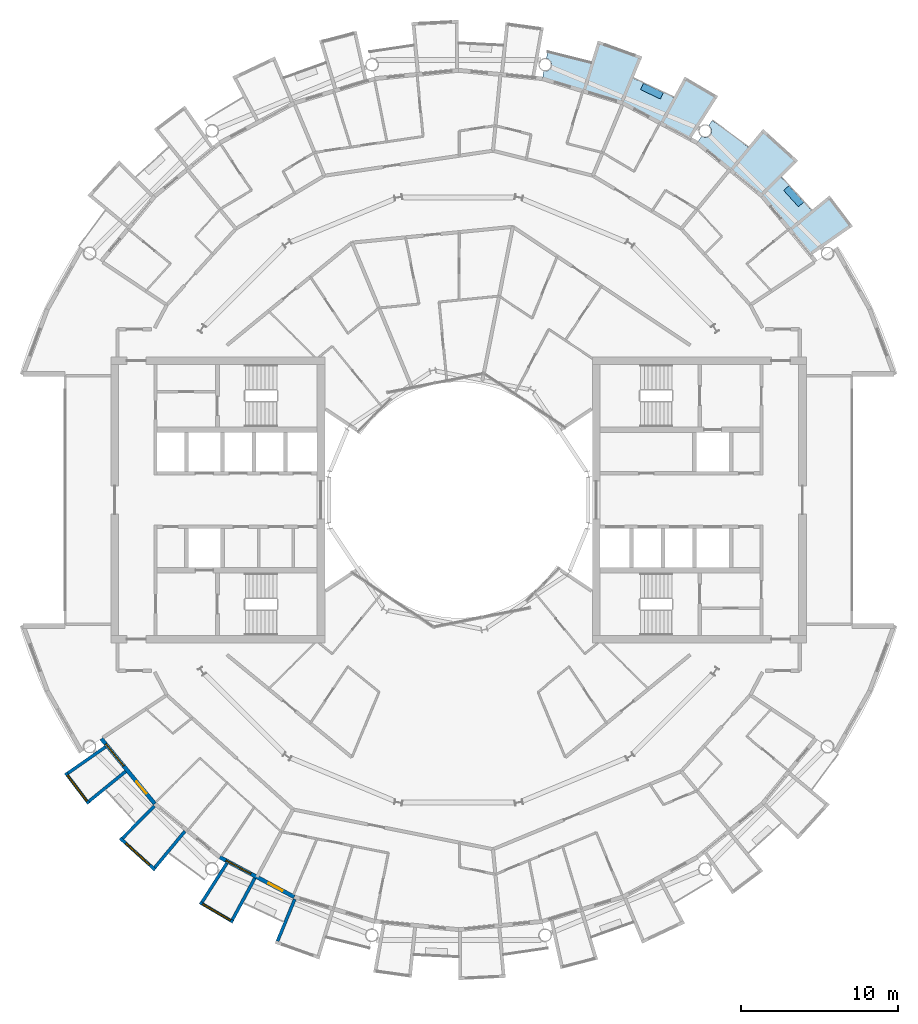
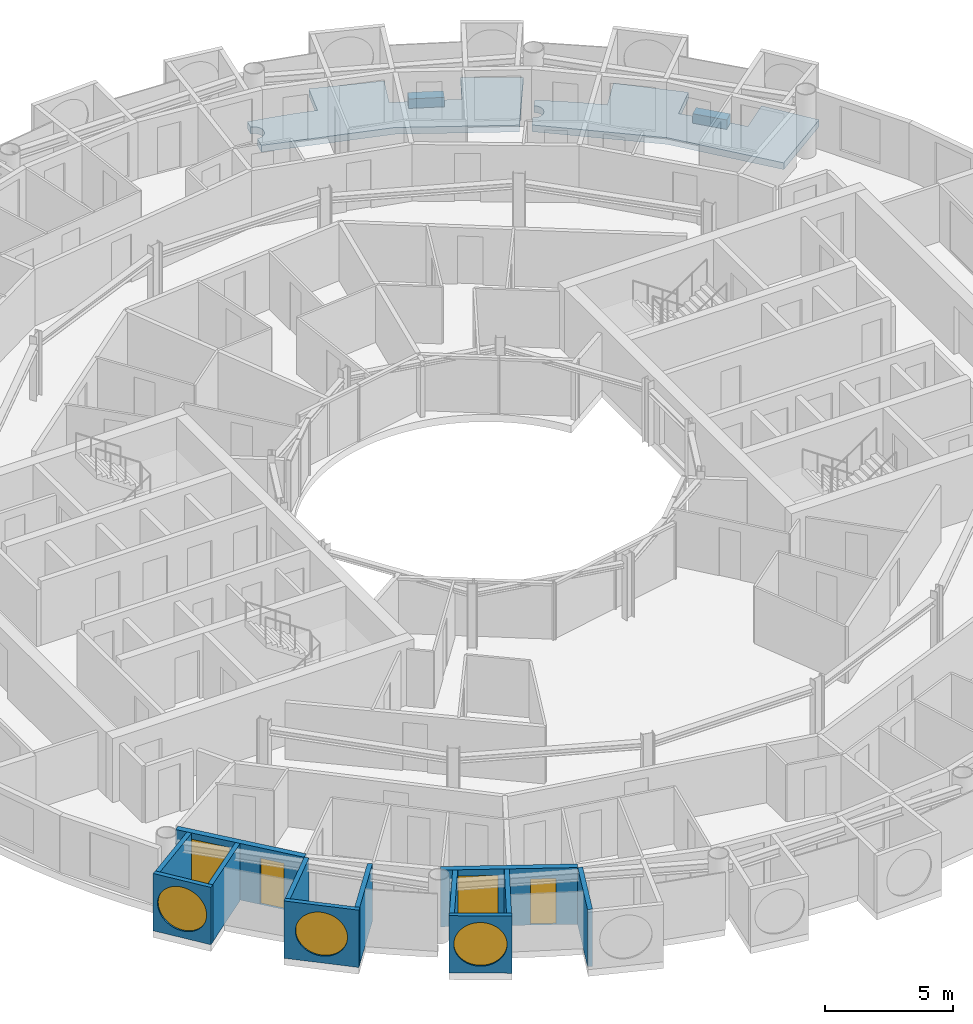
# One storey, part 13 of 27: 12 walls, 5 windows, 4 slabs, 2 doors, 7 openings.
"""IFC4 building model written with IfcOpenShell, lengths in metres."""

from ifc_helpers import new_model, si_unit, direction, frame, frame_2d, origin, place, context, subcontext, project, spatial, polyline, rectangle, circle, outline, extrude, material, layer, layer_set, type_object, element, fill, save


model = new_model("IFC4")

# Units and contexts
model_context = context("Model", 3, precision=1e-05, world=origin(), true_north=direction((0.0, 1.0)))
body_context = subcontext(model_context, "Body", "Model", "MODEL_VIEW")
ifc_project = project(units=[si_unit("LENGTHUNIT", "METRE"), si_unit("AREAUNIT", "SQUARE_METRE"), si_unit("VOLUMEUNIT", "CUBIC_METRE"), si_unit("PLANEANGLEUNIT", "RADIAN"), si_unit("MASSUNIT", "GRAM", prefix="KILO")], contexts=[model_context])

# Site, building, storey
site_placement = place(None, origin())
site = spatial("IfcSite", under=ifc_project, at=site_placement, CompositionType="ELEMENT")
building_placement = place(site_placement, origin())
building = spatial("IfcBuilding", under=site, at=building_placement, Name="Maasbend Ring Residences", CompositionType="ELEMENT")
storey_placement = place(building_placement, frame((0.0, 0.0, 148.25)))
storey = spatial("IfcBuildingStorey", under=building, at=storey_placement, Name="L42", CompositionType="ELEMENT", Elevation=148.25)

# Slabs
ifc_material_1 = material(Name="Planting with climbing greenery")
ifc_layer_1 = layer(ifc_material_1, 0.449951171875)
ifc_layer_set_1 = layer_set([ifc_layer_1], Name="PLANTER-LG")
slab_type_1 = type_object("IfcSlabType", Name="PLANTER-LG", PredefinedType="USERDEFINED", material=ifc_layer_set_1)
slab_1_placement = place(storey_placement, frame((0.0, 0.0, -0.030029296875)))
element("IfcSlab", 1, at=slab_1_placement, inside=storey, type_object=slab_type_1, Name="Planter with climbing greenery 1", ObjectType="PLANTER", PredefinedType="USERDEFINED", context=body_context, shape_type="SweptSolid", body=[
    extrude(outline(polyline([(21.931884765625, 18.93310546875), (20.991943359375, 19.969970703125), (20.657958984375, 19.66796875), (21.597900390625, 18.631103515625), (21.931884765625, 18.93310546875)])), origin(), (0.0, 0.0, 1.0), 0.449951171875),
])
slab_2_placement = place(storey_placement, frame((0.0, 0.0, -0.030029296875)))
element("IfcSlab", 2, at=slab_2_placement, inside=storey, type_object=slab_type_1, Name="Planter with climbing greenery 2", ObjectType="PLANTER", PredefinedType="USERDEFINED", context=body_context, shape_type="SweptSolid", body=[
    extrude(outline(polyline([(13.01708984375, 25.885009765625), (11.7509765625, 26.48291015625), (11.55908203125, 26.076904296875), (12.824951171875, 25.47802734375), (13.01708984375, 25.885009765625)])), origin(), (0.0, 0.0, 1.0), 0.449951171875),
])
ifc_material_2 = material(Name="Concrete C40/50", Category="concrete")
ifc_layer_2 = layer(ifc_material_2, 0.199951171875)
ifc_layer_set_2 = layer_set([ifc_layer_2], Name="Concrete C40/50")
slab_type_2 = type_object("IfcSlabType", Name="SL-LOGGIA", PredefinedType="FLOOR", material=ifc_layer_set_2)
slab_3_placement = place(storey_placement, frame((0.0, 0.0, -0.35009765625)))
element("IfcSlab", 3, at=slab_3_placement, inside=storey, type_object=slab_type_2, Name="Loggia floor 2", PredefinedType="FLOOR", context=body_context, shape_type="SweptSolid", body=[
    extrude(outline(polyline([(5.451904296875, 27.2548828125), (5.4619140625, 27.25390625), (5.471923828125, 27.2529296875), (5.48193359375, 27.251953125), (5.491943359375, 27.251953125), (5.501953125, 27.251953125), (5.510986328125, 27.251953125), (5.52099609375, 27.251953125), (5.531005859375, 27.2529296875), (5.541015625, 27.25390625), (5.551025390625, 27.2548828125), (5.56103515625, 27.256103515625), (5.571044921875, 27.258056640625), (5.5810546875, 27.259033203125), (5.591064453125, 27.260986328125), (5.60009765625, 27.263916015625), (5.610107421875, 27.26611328125), (5.6201171875, 27.26904296875), (5.62890625, 27.27197265625), (5.637939453125, 27.27490234375), (5.64794921875, 27.279052734375), (5.656982421875, 27.282958984375), (5.666015625, 27.285888671875), (5.675048828125, 27.291015625), (5.68408203125, 27.294921875), (5.693115234375, 27.300048828125), (5.701904296875, 27.303955078125), (5.7099609375, 27.30908203125), (5.718994140625, 27.31494140625), (5.72705078125, 27.320068359375), (5.736083984375, 27.325927734375), (5.743896484375, 27.33203125), (5.751953125, 27.337890625), (5.759033203125, 27.343994140625), (5.76708984375, 27.35009765625), (5.77392578125, 27.35693359375), (5.781982421875, 27.364013671875), (5.7890625, 27.37109375), (5.7958984375, 27.3779296875), (5.802978515625, 27.385009765625), (5.80908203125, 27.39306640625), (5.81591796875, 27.39990234375), (5.822021484375, 27.407958984375), (5.827880859375, 27.416015625), (5.833984375, 27.424072265625), (5.839111328125, 27.431884765625), (5.844970703125, 27.44091796875), (5.85009765625, 27.448974609375), (5.85498046875, 27.4580078125), (5.860107421875, 27.466064453125), (5.864990234375, 27.47509765625), (5.868896484375, 27.48388671875), (5.873046875, 27.492919921875), (5.876953125, 27.5029296875), (5.881103515625, 27.511962890625), (5.884033203125, 27.52099609375), (5.886962890625, 27.531005859375), (5.889892578125, 27.5400390625), (5.89306640625, 27.550048828125), (5.89599609375, 27.55908203125), (5.89794921875, 27.569091796875), (5.89990234375, 27.5791015625), (5.902099609375, 27.589111328125), (5.904052734375, 27.597900390625), (5.905029296875, 27.60791015625), (5.906005859375, 27.617919921875), (5.906982421875, 27.6279296875), (5.907958984375, 27.637939453125), (5.907958984375, 27.64794921875), (5.907958984375, 27.657958984375), (5.907958984375, 27.66796875), (5.907958984375, 27.677978515625), (5.906982421875, 27.68798828125), (5.906005859375, 27.697998046875), (5.905029296875, 27.7080078125), (5.904052734375, 27.718017578125), (5.902099609375, 27.72802734375), (5.89990234375, 27.737060546875), (5.89794921875, 27.7470703125), (5.89599609375, 27.757080078125), (5.89306640625, 27.76708984375), (5.889892578125, 27.77587890625), (5.886962890625, 27.785888671875), (5.884033203125, 27.794921875), (5.881103515625, 27.803955078125), (5.876953125, 27.81396484375), (5.873046875, 27.822998046875), (5.868896484375, 27.83203125), (5.864990234375, 27.841064453125), (5.860107421875, 27.85009765625), (5.85498046875, 27.85791015625), (5.85009765625, 27.866943359375), (5.844970703125, 27.8759765625), (5.839111328125, 27.884033203125), (5.833984375, 27.89208984375), (5.827880859375, 27.89990234375), (5.822021484375, 27.907958984375), (5.81591796875, 27.916015625), (5.80908203125, 27.924072265625), (5.802978515625, 27.930908203125), (5.7958984375, 27.93798828125), (5.7890625, 27.946044921875), (5.781982421875, 27.952880859375), (5.77392578125, 27.958984375), (5.76708984375, 27.966064453125), (5.759033203125, 27.971923828125), (5.751953125, 27.97900390625), (5.743896484375, 27.985107421875), (5.736083984375, 27.989990234375), (5.72705078125, 27.99609375), (5.718994140625, 28.001953125), (5.7099609375, 28.007080078125), (5.701904296875, 28.011962890625), (5.693115234375, 28.01708984375), (5.68408203125, 28.02099609375), (5.675048828125, 28.02587890625), (5.666015625, 28.030029296875), (5.656982421875, 28.033935546875), (5.64794921875, 28.037109375), (5.637939453125, 28.041015625), (5.62890625, 28.0439453125), (5.6201171875, 28.047119140625), (5.610107421875, 28.050048828125), (5.60009765625, 28.052001953125), (5.591064453125, 28.054931640625), (5.5810546875, 28.056884765625), (5.657958984375, 28.443115234375), (5.657958984375, 28.443115234375), (5.657958984375, 28.443115234375), (6.5849609375, 28.241943359375), (6.5849609375, 28.241943359375), (7.506103515625, 28.011962890625), (7.506103515625, 28.011962890625), (8.41796875, 27.7509765625), (8.41796875, 27.7509765625), (8.41796875, 27.7509765625), (8.41796875, 27.7509765625), (8.41796875, 27.7509765625), (8.41796875, 27.7509765625), (8.41796875, 27.7509765625), (8.41796875, 27.7509765625), (8.41796875, 27.7509765625), (8.41796875, 27.7509765625), (8.41796875, 27.751953125), (8.41796875, 27.751953125), (8.41796875, 27.751953125), (8.41796875, 27.751953125), (8.41796875, 27.751953125), (8.41796875, 27.751953125), (8.41796875, 27.751953125), (8.85400390625, 29.18701171875), (8.85400390625, 29.18701171875), (8.85400390625, 29.18701171875), (11.672119140625, 28.177978515625), (11.672119140625, 28.177978515625), (11.672119140625, 28.177978515625), (11.097900390625, 26.79296875), (11.097900390625, 26.79296875), (11.097900390625, 26.79296875), (11.097900390625, 26.79296875), (11.097900390625, 26.79296875), (11.097900390625, 26.79296875), (11.097900390625, 26.79296875), (11.097900390625, 26.79296875), (11.097900390625, 26.79296875), (11.097900390625, 26.79296875), (11.097900390625, 26.7919921875), (11.097900390625, 26.7919921875), (11.097900390625, 26.7919921875), (11.097900390625, 26.7919921875), (11.097900390625, 26.7919921875), (11.097900390625, 26.7919921875), (11.097900390625, 26.7919921875), (11.968994140625, 26.4150390625), (11.968994140625, 26.4150390625), (12.825927734375, 26.009033203125), (12.825927734375, 26.009033203125), (13.669921875, 25.575927734375), (13.669921875, 25.575927734375), (13.669921875, 25.575927734375), (13.669921875, 25.575927734375), (13.669921875, 25.575927734375), (13.669921875, 25.575927734375), (13.669921875, 25.575927734375), (13.669921875, 25.575927734375), (13.669921875, 25.575927734375), (13.669921875, 25.575927734375), (13.6708984375, 25.575927734375), (13.6708984375, 25.575927734375), (13.6708984375, 25.575927734375), (13.6708984375, 25.575927734375), (13.6708984375, 25.575927734375), (13.6708984375, 25.575927734375), (13.6708984375, 25.575927734375), (14.3779296875, 26.89892578125), (14.3779296875, 26.89892578125), (14.3779296875, 26.89892578125), (16.487060546875, 25.659912109375), (16.487060546875, 25.659912109375), (16.487060546875, 25.659912109375), (14.73291015625, 22.930908203125), (14.73291015625, 22.930908203125), (14.73291015625, 22.930908203125), (12.806884765625, 23.9609375), (10.447021484375, 25.221923828125), (10.447021484375, 25.221923828125), (10.447021484375, 25.221923828125), (7.886962890625, 25.9990234375), (5.325927734375, 26.77490234375), (5.325927734375, 26.77490234375), (5.325927734375, 26.77490234375), (5.422119140625, 27.259033203125), (5.431884765625, 27.258056640625), (5.44189453125, 27.256103515625), (5.451904296875, 27.2548828125)])), origin(), (0.0, 0.0, 1.0), 0.320068359375),
])
slab_4_placement = place(storey_placement, frame((0.0, 0.0, -0.35009765625)))
element("IfcSlab", 4, at=slab_4_placement, inside=storey, type_object=slab_type_2, Name="Loggia floor 5", PredefinedType="FLOOR", context=body_context, shape_type="SweptSolid", body=[
    extrude(outline(polyline([(15.4580078125, 23.09912109375), (15.467041015625, 23.093994140625), (15.47509765625, 23.089111328125), (15.48388671875, 23.083984375), (15.492919921875, 23.080078125), (15.501953125, 23.075927734375), (15.511962890625, 23.072021484375), (15.52099609375, 23.068115234375), (15.530029296875, 23.06494140625), (15.5400390625, 23.06103515625), (15.549072265625, 23.05810546875), (15.55908203125, 23.055908203125), (15.568115234375, 23.052978515625), (15.577880859375, 23.051025390625), (15.587890625, 23.049072265625), (15.597900390625, 23.047119140625), (15.60693359375, 23.044921875), (15.616943359375, 23.0439453125), (15.626953125, 23.04296875), (15.636962890625, 23.0419921875), (15.64697265625, 23.041015625), (15.656982421875, 23.041015625), (15.6669921875, 23.041015625), (15.677001953125, 23.041015625), (15.68701171875, 23.041015625), (15.697021484375, 23.0419921875), (15.70703125, 23.04296875), (15.717041015625, 23.0439453125), (15.72705078125, 23.044921875), (15.737060546875, 23.047119140625), (15.74609375, 23.049072265625), (15.756103515625, 23.051025390625), (15.76611328125, 23.052978515625), (15.77587890625, 23.055908203125), (15.784912109375, 23.05810546875), (15.794921875, 23.06103515625), (15.803955078125, 23.06494140625), (15.81298828125, 23.068115234375), (15.822998046875, 23.072021484375), (15.83203125, 23.075927734375), (15.841064453125, 23.080078125), (15.85009765625, 23.083984375), (15.85888671875, 23.089111328125), (15.866943359375, 23.093994140625), (15.8759765625, 23.09912109375), (15.885009765625, 23.10400390625), (15.89306640625, 23.10888671875), (15.90087890625, 23.114990234375), (15.908935546875, 23.12109375), (15.9169921875, 23.126953125), (15.925048828125, 23.133056640625), (15.93310546875, 23.139892578125), (15.93994140625, 23.14599609375), (15.947021484375, 23.153076171875), (15.955078125, 23.159912109375), (15.9619140625, 23.1669921875), (15.968017578125, 23.174072265625), (15.97509765625, 23.181884765625), (15.98095703125, 23.18994140625), (15.988037109375, 23.197021484375), (15.993896484375, 23.205078125), (15.9990234375, 23.212890625), (16.0048828125, 23.221923828125), (16.010986328125, 23.22998046875), (16.01611328125, 23.238037109375), (16.02099609375, 23.2470703125), (16.02587890625, 23.256103515625), (16.030029296875, 23.264892578125), (16.034912109375, 23.27392578125), (16.0390625, 23.282958984375), (16.04296875, 23.2919921875), (16.0458984375, 23.301025390625), (16.050048828125, 23.31005859375), (16.052978515625, 23.320068359375), (16.055908203125, 23.3291015625), (16.05908203125, 23.339111328125), (16.06103515625, 23.34912109375), (16.06396484375, 23.35791015625), (16.06591796875, 23.367919921875), (16.068115234375, 23.3779296875), (16.069091796875, 23.387939453125), (16.071044921875, 23.39794921875), (16.072021484375, 23.407958984375), (16.072021484375, 23.4169921875), (16.072998046875, 23.427001953125), (16.072998046875, 23.43701171875), (16.073974609375, 23.447021484375), (16.072998046875, 23.45703125), (16.072998046875, 23.467041015625), (16.072021484375, 23.47705078125), (16.072021484375, 23.487060546875), (16.071044921875, 23.4970703125), (16.069091796875, 23.507080078125), (16.068115234375, 23.51708984375), (16.06591796875, 23.527099609375), (16.06396484375, 23.535888671875), (16.06103515625, 23.5458984375), (16.05908203125, 23.555908203125), (16.055908203125, 23.56494140625), (16.052978515625, 23.574951171875), (16.050048828125, 23.583984375), (16.0458984375, 23.593994140625), (16.04296875, 23.60302734375), (16.0390625, 23.612060546875), (16.034912109375, 23.62109375), (16.030029296875, 23.6298828125), (16.02587890625, 23.638916015625), (16.02099609375, 23.64794921875), (16.01611328125, 23.656005859375), (16.010986328125, 23.6650390625), (16.0048828125, 23.673095703125), (15.9990234375, 23.680908203125), (15.993896484375, 23.68994140625), (15.988037109375, 23.697021484375), (15.98095703125, 23.705078125), (15.97509765625, 23.712890625), (15.968017578125, 23.719970703125), (15.9619140625, 23.72802734375), (15.955078125, 23.735107421875), (15.947021484375, 23.741943359375), (15.93994140625, 23.7490234375), (15.93310546875, 23.7548828125), (15.925048828125, 23.761962890625), (15.9169921875, 23.76806640625), (15.908935546875, 23.77392578125), (15.90087890625, 23.780029296875), (15.89306640625, 23.784912109375), (15.89306640625, 23.784912109375), (16.112060546875, 24.113037109375), (16.112060546875, 24.113037109375), (16.112060546875, 24.113037109375), (16.89208984375, 23.572998046875), (16.89208984375, 23.572998046875), (17.654052734375, 23.007080078125), (17.654052734375, 23.007080078125), (18.39697265625, 22.41796875), (18.39697265625, 22.41796875), (18.39697265625, 22.41796875), (18.39697265625, 22.41796875), (18.39697265625, 22.41796875), (18.39697265625, 22.41796875), (18.39697265625, 22.41796875), (18.39697265625, 22.41796875), (18.39697265625, 22.41796875), (18.39697265625, 22.41796875), (18.39697265625, 22.41796875), (18.39794921875, 22.41796875), (18.39794921875, 22.41796875), (18.39794921875, 22.41796875), (18.39794921875, 22.41796875), (18.39794921875, 22.41796875), (18.39794921875, 22.41796875), (19.34912109375, 23.576904296875), (19.34912109375, 23.576904296875), (19.34912109375, 23.576904296875), (21.56689453125, 21.56689453125), (21.56689453125, 21.56689453125), (21.56689453125, 21.56689453125), (20.506103515625, 20.506103515625), (20.506103515625, 20.506103515625), (20.506103515625, 20.506103515625), (20.506103515625, 20.506103515625), (20.506103515625, 20.506103515625), (20.506103515625, 20.506103515625), (20.506103515625, 20.506103515625), (20.506103515625, 20.506103515625), (20.506103515625, 20.506103515625), (20.506103515625, 20.506103515625), (20.506103515625, 20.506103515625), (20.506103515625, 20.506103515625), (20.506103515625, 20.506103515625), (20.506103515625, 20.506103515625), (20.506103515625, 20.506103515625), (20.506103515625, 20.506103515625), (20.506103515625, 20.506103515625), (21.166015625, 19.823974609375), (21.166015625, 19.823974609375), (21.802978515625, 19.12109375), (21.802978515625, 19.12109375), (22.4169921875, 18.39794921875), (22.4169921875, 18.39794921875), (22.4169921875, 18.39794921875), (22.4169921875, 18.39794921875), (22.4169921875, 18.39794921875), (22.4169921875, 18.39794921875), (22.4169921875, 18.39794921875), (22.4169921875, 18.39794921875), (22.4169921875, 18.39794921875), (22.4169921875, 18.39794921875), (22.4169921875, 18.39794921875), (22.4169921875, 18.39794921875), (22.41796875, 18.39794921875), (22.41796875, 18.39794921875), (22.41796875, 18.39794921875), (22.41796875, 18.39794921875), (22.41796875, 18.39794921875), (23.576904296875, 19.34912109375), (23.576904296875, 19.34912109375), (23.576904296875, 19.34912109375), (25.051025390625, 17.39794921875), (25.051025390625, 17.39794921875), (25.051025390625, 17.39794921875), (22.386962890625, 15.547119140625), (22.386962890625, 15.547119140625), (22.386962890625, 15.547119140625), (21.001953125, 17.236083984375), (19.303955078125, 19.303955078125), (19.303955078125, 19.303955078125), (19.303955078125, 19.303955078125), (17.236083984375, 21.001953125), (15.1669921875, 22.698974609375), (15.1669921875, 22.698974609375), (15.1669921875, 22.698974609375), (15.44091796875, 23.10888671875), (15.44091796875, 23.10888671875), (15.449951171875, 23.10400390625), (15.4580078125, 23.09912109375)])), origin(), (0.0, 0.0, 1.0), 0.320068359375),
])

# Wall, opening, window
ifc_material_3 = material(Name="Pale anodised aluminium panel", Category="aluminium")
ifc_layer_3 = layer(ifc_material_3, 0.199951171875)
ifc_layer_set_3 = layer_set([ifc_layer_3], Name="EW-BOX")
wall_type_1 = type_object("IfcWallType", Name="EW-BOX", PredefinedType="SOLIDWALL", material=ifc_layer_set_3)
wall_1_placement = place(storey_placement, frame((-24.971923828125, -17.3369140625, -0.030029296875), z_axis=(0.0, 0.0, 1.0), x_axis=(0.602806268067, -0.797887588059, 0.0)))
wall_1 = element("IfcWall", 5, at=wall_1_placement, inside=storey, type_object=wall_type_1, Name="Box front S01", PredefinedType="SOLIDWALL", context=body_context, shape_type="SweptSolid", body=[
    extrude(rectangle(XDim=2.446533203125, YDim=0.199951171875, at=frame_2d((1.22314453125, 0.0))), origin(), (0.0, 0.0, 1.0), 2.72998046875),
])
opening_1_placement = place(wall_1_placement, frame((0.182861328125, 0.0, 0.330078125)))
opening_1 = element("IfcOpeningElement", 6, at=opening_1_placement, cuts=wall_1, Name="Opening W-RD", PredefinedType="OPENING", context=body_context, shape_type="SweptSolid", body=[
    extrude(circle(Radius=1.0400390625, at=frame_2d((1.0400390625, 1.0400390625))), frame((0.0, 0.10986328125, 0.0), z_axis=(0.0, -1.0, 0.0), x_axis=(1.0, 0.0, 0.0)), (0.0, 0.0, 1.0), 0.219970703125),
])
ifc_material_4 = material(Name="Aluminium and clear glass", Category="aluminium")
window_type_1 = type_object("IfcWindowType", Name="W-RD", PartitioningType="SINGLE_PANEL", PredefinedType="WINDOW", material=ifc_material_4)
window_1_placement = place(opening_1_placement, origin())
window_1 = element("IfcWindow", 7, at=window_1_placement, inside=storey, type_object=window_type_1, Name="Round window S01", OverallHeight=2.080078125, OverallWidth=2.080078125, PartitioningType="SINGLE_PANEL", PredefinedType="WINDOW", context=body_context, shape_type="SweptSolid", body=[
    extrude(circle(Radius=1.0400390625, at=frame_2d((1.0400390625, 1.0400390625))), frame((0.0, 0.030029296875, 0.0), z_axis=(0.0, -1.0, 0.0), x_axis=(1.0, 0.0, 0.0)), (0.0, 0.0, 1.0), 0.06005859375),
])
fill(opening_1, window_1)

# Walls
wall_2_placement = place(storey_placement, frame((-22.43310546875, -15.68798828125, -0.030029296875), z_axis=(0.0, 0.0, 1.0), x_axis=(-0.819373043115, -0.573260687834, 0.0)))
element("IfcWall", 8, at=wall_2_placement, inside=storey, type_object=wall_type_1, Name="Box side wall S01 left", PredefinedType="SOLIDWALL", context=body_context, shape_type="SweptSolid", body=[
    extrude(rectangle(XDim=2.92529296875, YDim=0.199951171875, at=frame_2d((1.462646484375, 0.0))), origin(), (0.0, 0.0, 1.0), 2.72998046875),
])
wall_3_placement = place(storey_placement, frame((-21.155029296875, -17.24609375, -0.030029296875), z_axis=(0.0, 0.0, 1.0), x_axis=(-0.775179004516, -0.631741648902, 0.0)))
element("IfcWall", 9, at=wall_3_placement, inside=storey, type_object=wall_type_1, Name="Box side wall S01 right", PredefinedType="SOLIDWALL", context=body_context, shape_type="SweptSolid", body=[
    extrude(rectangle(XDim=3.005859375, YDim=0.199951171875, at=frame_2d((1.5029296875, 0.0))), origin(), (0.0, 0.0, 1.0), 2.72998046875),
])

# Wall, opening, window
wall_4_placement = place(storey_placement, frame((-21.5, -21.492919921875, -0.030029296875), z_axis=(0.0, 0.0, 1.0), x_axis=(0.740998365753, -0.671506829416, 0.0)))
wall_4 = element("IfcWall", 10, at=wall_4_placement, inside=storey, type_object=wall_type_1, Name="Box front S03", PredefinedType="SOLIDWALL", context=body_context, shape_type="SweptSolid", body=[
    extrude(rectangle(XDim=2.9931640625, YDim=0.199951171875, at=frame_2d((1.49658203125, 0.0))), origin(), (0.0, 0.0, 1.0), 2.72998046875),
])
opening_2_placement = place(wall_4_placement, frame((0.45654296875, 0.0, 0.330078125)))
opening_2 = element("IfcOpeningElement", 11, at=opening_2_placement, cuts=wall_4, Name="Opening W-RD", PredefinedType="OPENING", context=body_context, shape_type="SweptSolid", body=[
    extrude(circle(Radius=1.0400390625, at=frame_2d((1.0400390625, 1.0400390625))), frame((0.0, 0.10986328125, 0.0), z_axis=(0.0, -1.0, 0.0), x_axis=(1.0, 0.0, 0.0)), (0.0, 0.0, 1.0), 0.219970703125),
])
window_2_placement = place(opening_2_placement, origin())
window_2 = element("IfcWindow", 12, at=window_2_placement, inside=storey, type_object=window_type_1, Name="Round window S03", OverallHeight=2.080078125, OverallWidth=2.080078125, PartitioningType="SINGLE_PANEL", PredefinedType="WINDOW", context=body_context, shape_type="SweptSolid", body=[
    extrude(circle(Radius=1.0400390625, at=frame_2d((1.0400390625, 1.0400390625))), frame((0.0, 0.030029296875, 0.0), z_axis=(0.0, -1.0, 0.0), x_axis=(1.0, 0.0, 0.0)), (0.0, 0.0, 1.0), 0.06005859375),
])
fill(opening_2, window_2)

# Walls
wall_5_placement = place(storey_placement, frame((-19.322998046875, -19.449951171875, -0.030029296875), z_axis=(0.0, 0.0, 1.0), x_axis=(-0.704476739375, -0.709727076896, 0.0)))
element("IfcWall", 13, at=wall_5_placement, inside=storey, type_object=wall_type_1, Name="Box side wall S03 left", PredefinedType="SOLIDWALL", context=body_context, shape_type="SweptSolid", body=[
    extrude(rectangle(XDim=2.883056640625, YDim=0.199951171875, at=frame_2d((1.44140625, 0.0))), origin(), (0.0, 0.0, 1.0), 2.72998046875),
])
wall_6_placement = place(storey_placement, frame((-17.384033203125, -21.041015625, -0.030029296875), z_axis=(0.0, 0.0, 1.0), x_axis=(-0.63709551667, -0.770784861449, 0.0)))
element("IfcWall", 14, at=wall_6_placement, inside=storey, type_object=wall_type_1, Name="Box side wall S03 right", PredefinedType="SOLIDWALL", context=body_context, shape_type="SweptSolid", body=[
    extrude(rectangle(XDim=3.005859375, YDim=0.199951171875, at=frame_2d((1.5029296875, 0.0))), origin(), (0.0, 0.0, 1.0), 2.72998046875),
])

# Wall, opening, window
wall_7_placement = place(storey_placement, frame((-16.43603515625, -25.573974609375, -0.030029296875), z_axis=(0.0, 0.0, 1.0), x_axis=(0.862403467503, -0.506221551535, 0.0)))
wall_7 = element("IfcWall", 15, at=wall_7_placement, inside=storey, type_object=wall_type_1, Name="Box front S05", PredefinedType="SOLIDWALL", context=body_context, shape_type="SweptSolid", body=[
    extrude(rectangle(XDim=2.445556640625, YDim=0.199951171875, at=frame_2d((1.22265625, 0.0))), origin(), (0.0, 0.0, 1.0), 2.72998046875),
])
opening_3_placement = place(wall_7_placement, frame((0.182861328125, 0.0, 0.330078125)))
opening_3 = element("IfcOpeningElement", 16, at=opening_3_placement, cuts=wall_7, Name="Opening W-RD", PredefinedType="OPENING", context=body_context, shape_type="SweptSolid", body=[
    extrude(circle(Radius=1.0400390625, at=frame_2d((1.0400390625, 1.0400390625))), frame((0.0, 0.10986328125, 0.0), z_axis=(0.0, -1.0, 0.0), x_axis=(1.0, 0.0, 0.0)), (0.0, 0.0, 1.0), 0.219970703125),
])
window_3_placement = place(opening_3_placement, origin())
window_3 = element("IfcWindow", 17, at=window_3_placement, inside=storey, type_object=window_type_1, Name="Round window S05", OverallHeight=2.080078125, OverallWidth=2.080078125, PartitioningType="SINGLE_PANEL", PredefinedType="WINDOW", context=body_context, shape_type="SweptSolid", body=[
    extrude(circle(Radius=1.0400390625, at=frame_2d((1.0400390625, 1.0400390625))), frame((0.0, 0.030029296875, 0.0), z_axis=(0.0, -1.0, 0.0), x_axis=(1.0, 0.0, 0.0)), (0.0, 0.0, 1.0), 0.06005859375),
])
fill(opening_3, window_3)

# Walls
wall_8_placement = place(storey_placement, frame((-14.721923828125, -23.0791015625, -0.030029296875), z_axis=(0.0, 0.0, 1.0), x_axis=(-0.537572179146, -0.843217737129, 0.0)))
element("IfcWall", 18, at=wall_8_placement, inside=storey, type_object=wall_type_1, Name="Box side wall S05 left", PredefinedType="SOLIDWALL", context=body_context, shape_type="SweptSolid", body=[
    extrude(rectangle(XDim=2.92431640625, YDim=0.199951171875, at=frame_2d((1.462158203125, 0.0))), origin(), (0.0, 0.0, 1.0), 2.72998046875),
])
wall_9_placement = place(storey_placement, frame((-12.945068359375, -24.029052734375, -0.030029296875), z_axis=(0.0, 0.0, 1.0), x_axis=(-0.474424310775, -0.88029629861, 0.0)))
element("IfcWall", 19, at=wall_9_placement, inside=storey, type_object=wall_type_1, Name="Box side wall S05 right", PredefinedType="SOLIDWALL", context=body_context, shape_type="SweptSolid", body=[
    extrude(rectangle(XDim=3.005859375, YDim=0.199951171875, at=frame_2d((1.5029296875, 0.0))), origin(), (0.0, 0.0, 1.0), 2.72998046875),
])
wall_10_placement = place(storey_placement, frame((-10.408935546875, -25.364013671875, -0.030029296875), z_axis=(0.0, 0.0, 1.0), x_axis=(-0.379509886562, -0.925187681501, 0.0)))
element("IfcWall", 20, at=wall_10_placement, inside=storey, type_object=wall_type_1, Name="Box side wall S07 left", PredefinedType="SOLIDWALL", context=body_context, shape_type="SweptSolid", body=[
    extrude(rectangle(XDim=2.882568359375, YDim=0.199951171875, at=frame_2d((1.44140625, 0.0))), origin(), (0.0, 0.0, 1.0), 2.72998046875),
])

# Wall, openings, door, window
ifc_material_5 = material(Name="Aluminium clad insulated panel", Category="aluminium")
ifc_layer_4 = layer(ifc_material_5, 0.25)
ifc_layer_set_4 = layer_set([ifc_layer_4], Name="EW-GL")
wall_type_2 = type_object("IfcWallType", Name="EW-GL", PredefinedType="SOLIDWALL", material=ifc_layer_set_4)
wall_11_placement = place(storey_placement, frame((-22.698974609375, -15.1669921875, 0.0), z_axis=(0.0, 0.0, 1.0), x_axis=(0.634382322723, -0.773019449054, 0.0)))
wall_11 = element("IfcWall", 21, at=wall_11_placement, inside=storey, type_object=wall_type_2, Name="External wall S01", PredefinedType="SOLIDWALL", context=body_context, shape_type="SweptSolid", body=[
    extrude(rectangle(XDim=5.351806640625, YDim=0.25, at=frame_2d((2.67578125, 0.0))), origin(), (0.0, 0.0, 1.0), 2.699951171875),
])
opening_4_placement = place(wall_11_placement, frame((0.441162109375, 0.0, 0.300048828125)))
opening_4 = element("IfcOpeningElement", 22, at=opening_4_placement, cuts=wall_11, Name="Opening W-BX", PredefinedType="OPENING", context=body_context, shape_type="SweptSolid", body=[
    extrude(rectangle(XDim=1.800048828125, YDim=2.10009765625, at=frame_2d((0.89990234375, 1.050048828125))), frame((0.0, 0.135009765625, 0.0), z_axis=(0.0, -1.0, 0.0), x_axis=(1.0, 0.0, 0.0)), (0.0, 0.0, 1.0), 0.27001953125),
])
opening_5_placement = place(wall_11_placement, frame((3.510498046875, 0.0, 0.0)))
opening_5 = element("IfcOpeningElement", 23, at=opening_5_placement, cuts=wall_11, Name="Opening D-LG", PredefinedType="OPENING", context=body_context, shape_type="SweptSolid", body=[
    extrude(rectangle(XDim=1.0, YDim=2.199951171875, at=frame_2d((0.5, 1.10009765625))), frame((0.0, 0.135009765625, 0.0), z_axis=(0.0, -1.0, 0.0), x_axis=(1.0, 0.0, 0.0)), (0.0, 0.0, 1.0), 0.27001953125),
])
ifc_material_6 = material(Name="Aluminium and clear glass", Category="aluminium")
door_type = type_object("IfcDoorType", Name="D-LG", OperationType="SINGLE_SWING_LEFT", PredefinedType="DOOR", material=ifc_material_6)
door_1_placement = place(opening_5_placement, origin())
door_1 = element("IfcDoor", 24, at=door_1_placement, inside=storey, type_object=door_type, Name="Loggia door S02", OperationType="SINGLE_SWING_LEFT", OverallHeight=2.199951171875, OverallWidth=1.0, PredefinedType="DOOR", context=body_context, shape_type="SweptSolid", body=[
    extrude(rectangle(XDim=1.0, YDim=2.199951171875, at=frame_2d((0.5, 1.10009765625))), frame((0.0, 0.02490234375, 0.0), z_axis=(0.0, -1.0, 0.0), x_axis=(1.0, 0.0, 0.0)), (0.0, 0.0, 1.0), 0.050048828125),
])
fill(opening_5, door_1)
ifc_material_7 = material(Name="Aluminium and clear glass", Category="aluminium")
window_type_2 = type_object("IfcWindowType", Name="W-BX", PartitioningType="DOUBLE_PANEL_VERTICAL", PredefinedType="WINDOW", material=ifc_material_7)
window_4_placement = place(opening_4_placement, origin())
window_4 = element("IfcWindow", 25, at=window_4_placement, inside=storey, type_object=window_type_2, Name="Window S01 room to box", OverallHeight=2.10009765625, OverallWidth=1.800048828125, PartitioningType="SINGLE_PANEL", PredefinedType="WINDOW", context=body_context, shape_type="SweptSolid", body=[
    extrude(rectangle(XDim=1.800048828125, YDim=2.10009765625, at=frame_2d((0.89990234375, 1.050048828125))), frame((0.0, 0.030029296875, 0.0), z_axis=(0.0, -1.0, 0.0), x_axis=(1.0, 0.0, 0.0)), (0.0, 0.0, 1.0), 0.06005859375),
])
fill(opening_4, window_4)

wall_12_placement = place(storey_placement, frame((-15.1669921875, -22.698974609375, 0.0), z_axis=(0.0, 0.0, 1.0), x_axis=(0.881915646801, -0.471407246368, 0.0)))
wall_12 = element("IfcWall", 26, at=wall_12_placement, inside=storey, type_object=wall_type_2, Name="External wall S03", PredefinedType="SOLIDWALL", context=body_context, shape_type="SweptSolid", body=[
    extrude(rectangle(XDim=5.35205078125, YDim=0.25, at=frame_2d((2.676025390625, 0.0))), origin(), (0.0, 0.0, 1.0), 2.699951171875),
])
opening_6_placement = place(wall_12_placement, frame((0.441162109375, 0.0, 0.300048828125)))
opening_6 = element("IfcOpeningElement", 27, at=opening_6_placement, cuts=wall_12, Name="Opening W-BX", PredefinedType="OPENING", context=body_context, shape_type="SweptSolid", body=[
    extrude(rectangle(XDim=1.800048828125, YDim=2.10009765625, at=frame_2d((0.89990234375, 1.050048828125))), frame((0.0, 0.135009765625, 0.0), z_axis=(0.0, -1.0, 0.0), x_axis=(1.0, 0.0, 0.0)), (0.0, 0.0, 1.0), 0.27001953125),
])
opening_7_placement = place(wall_12_placement, frame((3.510498046875, 0.0, 0.0)))
opening_7 = element("IfcOpeningElement", 28, at=opening_7_placement, cuts=wall_12, Name="Opening D-LG", PredefinedType="OPENING", context=body_context, shape_type="SweptSolid", body=[
    extrude(rectangle(XDim=1.0, YDim=2.199951171875, at=frame_2d((0.5, 1.10009765625))), frame((0.0, 0.135009765625, 0.0), z_axis=(0.0, -1.0, 0.0), x_axis=(1.0, 0.0, 0.0)), (0.0, 0.0, 1.0), 0.27001953125),
])
door_2_placement = place(opening_7_placement, origin())
door_2 = element("IfcDoor", 29, at=door_2_placement, inside=storey, type_object=door_type, Name="Loggia door S06", OperationType="SINGLE_SWING_LEFT", OverallHeight=2.199951171875, OverallWidth=1.0, PredefinedType="DOOR", context=body_context, shape_type="SweptSolid", body=[
    extrude(rectangle(XDim=1.0, YDim=2.199951171875, at=frame_2d((0.5, 1.10009765625))), frame((0.0, 0.02490234375, 0.0), z_axis=(0.0, -1.0, 0.0), x_axis=(1.0, 0.0, 0.0)), (0.0, 0.0, 1.0), 0.050048828125),
])
fill(opening_7, door_2)
window_5_placement = place(opening_6_placement, origin())
window_5 = element("IfcWindow", 30, at=window_5_placement, inside=storey, type_object=window_type_2, Name="Window S05 room to box", OverallHeight=2.10009765625, OverallWidth=1.800048828125, PartitioningType="SINGLE_PANEL", PredefinedType="WINDOW", context=body_context, shape_type="SweptSolid", body=[
    extrude(rectangle(XDim=1.800048828125, YDim=2.10009765625, at=frame_2d((0.89990234375, 1.050048828125))), frame((0.0, 0.030029296875, 0.0), z_axis=(0.0, -1.0, 0.0), x_axis=(1.0, 0.0, 0.0)), (0.0, 0.0, 1.0), 0.06005859375),
])
fill(opening_6, window_5)

save(model, "model.ifc")
